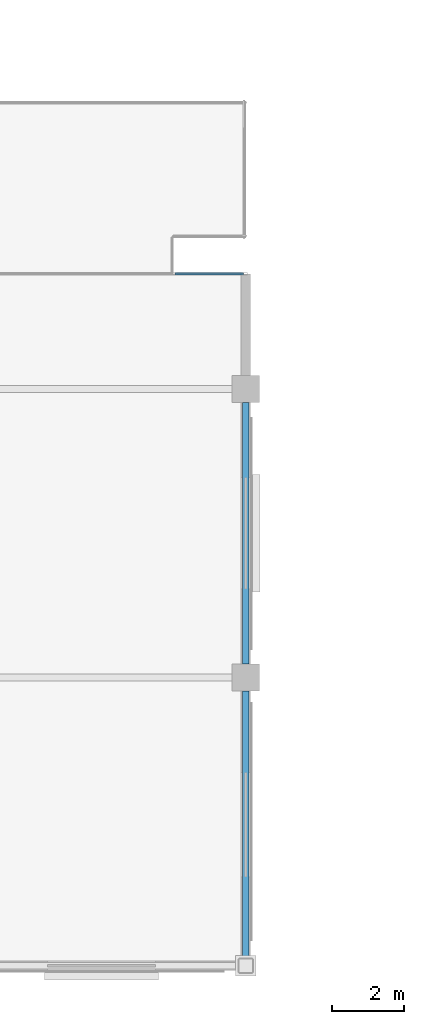
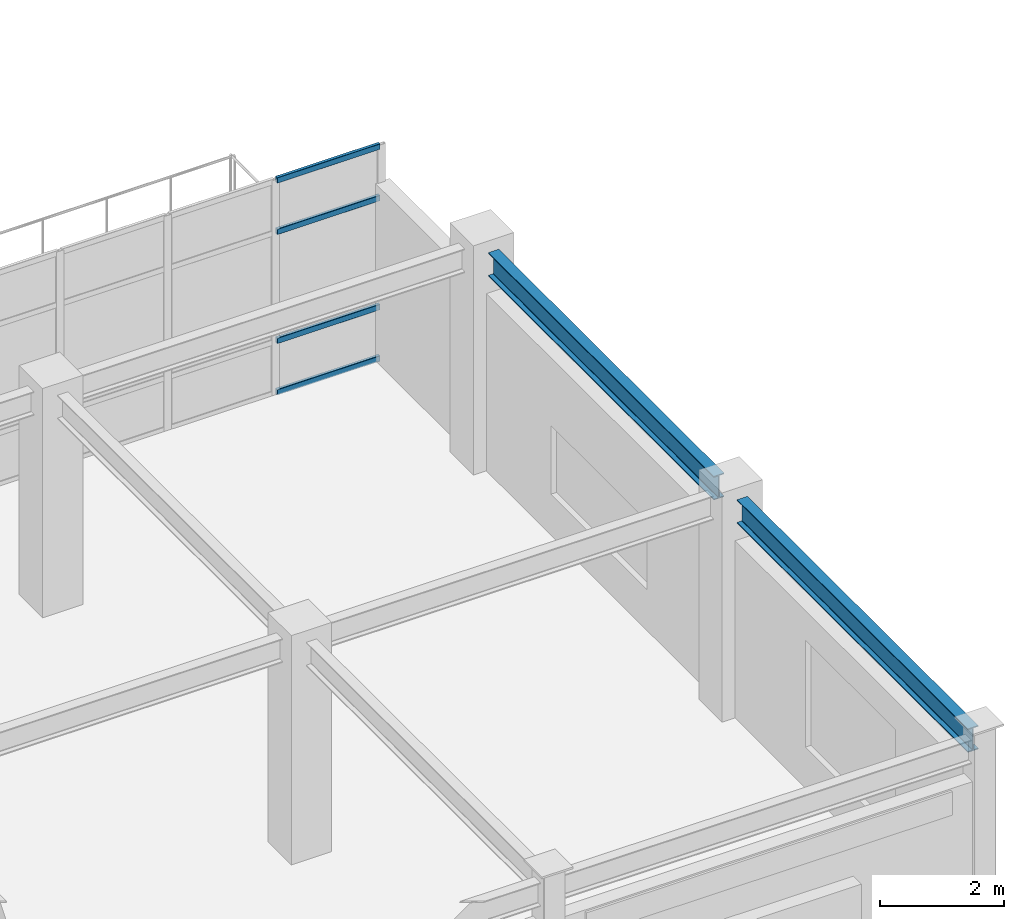
# One storey, part 19 of 42: 4 members, 2 beams, 1 element without a shape of its own.
"""IFC4 building model written with IfcOpenShell, lengths in metres."""

import ifcopenshell
import ifcopenshell.guid

model = None  # the IFC model being written
_history = None  # IfcOwnerHistory: only IFC2X3 demands one
_inside = {}  # id of a spatial element -> (the spatial element, [elements in it])
_under = {}  # id of a project, library or spatial element -> (it, [spatial elements below it])
_declared = {}  # id of a project -> (the project, [libraries it declares])
_typed = {}  # id of a type object -> (the type object, [elements of that type])
_made_of = {}  # id of a material, layer set ... -> (it, [elements and type objects made of it])


def new_model(schema):
    """Start an empty IFC model of exactly this schema.

    Asked for "IFC4X3", IfcOpenShell would pick the latest addendum, in which some entities
    have other attributes; the version numbers below select the first issue.
    IFC2X3 requires an IfcOwnerHistory on every rooted entity: one is made here for all.
    """
    global model, _history
    if schema == "IFC4X3":
        model = ifcopenshell.file(schema_version=(4, 3, 0, 0))
    else:
        model = ifcopenshell.file(schema=schema)
    _inside.clear()
    _under.clear()
    _declared.clear()
    _typed.clear()
    _made_of.clear()
    _history = None
    if model.schema == "IFC2X3":
        org = make("IfcOrganization", Name="unknown")
        user = make(
            "IfcPersonAndOrganization",
            ThePerson=make("IfcPerson", FamilyName="unknown"),
            TheOrganization=org,
        )
        app = make(
            "IfcApplication",
            ApplicationDeveloper=org,
            Version="unknown",
            ApplicationFullName="unknown",
            ApplicationIdentifier="unknown",
        )
        _history = make(
            "IfcOwnerHistory",
            OwningUser=user,
            OwningApplication=app,
            ChangeAction="ADDED",
            CreationDate=0,
        )
    return model


def make(cls, **values):
    """One entity of the class cls with the attributes given. An attribute that is None is left unset."""
    return model.create_entity(
        cls, **{name: value for name, value in values.items() if value is not None}
    )


def rooted(cls, **values):
    """An entity with a GlobalId (a new one), such as an element, a storey or a relation."""
    return make(cls, GlobalId=ifcopenshell.guid.new(), OwnerHistory=_history, **values)


def si_unit(unit_type, name, prefix=None):
    """IfcSIUnit, for example si_unit("LENGTHUNIT", "METRE", prefix="MILLI")."""
    return make("IfcSIUnit", UnitType=unit_type, Prefix=prefix, Name=name)


def assignment(units):
    """IfcUnitAssignment: the units of a project."""
    return None if units is None else make("IfcUnitAssignment", Units=units)


def point(xyz):
    """IfcCartesianPoint."""
    return None if xyz is None else make("IfcCartesianPoint", Coordinates=xyz)


def direction(xyz):
    """IfcDirection."""
    return None if xyz is None else make("IfcDirection", DirectionRatios=xyz)


def frame(location, z_axis=None, x_axis=None):
    """IfcAxis2Placement3D, a coordinate frame: its origin and axes. An axis left out is left unset."""
    return make(
        "IfcAxis2Placement3D",
        Location=point(location),
        Axis=direction(z_axis),
        RefDirection=direction(x_axis),
    )


def frame_2d(location, x_axis=None):
    """IfcAxis2Placement2D, a coordinate frame in the plane: its origin and x axis."""
    return make(
        "IfcAxis2Placement2D", Location=point(location), RefDirection=direction(x_axis)
    )


def origin():
    """The frame at (0, 0, 0) with its axes left unset."""
    return frame((0.0, 0.0, 0.0))


def origin_2d():
    """The frame at (0, 0) in the plane with its x axis left unset."""
    return frame_2d((0.0, 0.0))


def place(relative_to, where):
    """IfcLocalPlacement: puts the frame where relative to a parent placement (None: the world)."""
    return make(
        "IfcLocalPlacement", PlacementRelTo=relative_to, RelativePlacement=where
    )


def context(
    kind, dimensions, precision=None, world=None, true_north=None, identifier=None
):
    """IfcGeometricRepresentationContext, for example the 3D "Model" context."""
    return make(
        "IfcGeometricRepresentationContext",
        ContextIdentifier=identifier,
        ContextType=kind,
        CoordinateSpaceDimension=dimensions,
        Precision=precision,
        WorldCoordinateSystem=world,
        TrueNorth=true_north,
    )


def subcontext(parent, identifier, kind, view, scale=None):
    """IfcGeometricRepresentationSubContext, for example "Body" below "Model"."""
    return make(
        "IfcGeometricRepresentationSubContext",
        ContextIdentifier=identifier,
        ContextType=kind,
        ParentContext=parent,
        TargetScale=scale,
        TargetView=view,
    )


def project(units=None, contexts=None):
    """IfcProject with its units and contexts."""
    return rooted(
        "IfcProject",
        Name="project",
        RepresentationContexts=contexts,
        UnitsInContext=assignment(units),
    )


def spatial(cls, under=None, at=None, **own):
    """A site, building, storey or space (cls), placed at a placement, below another one or the project."""
    s = rooted(cls, ObjectPlacement=at, **own)
    if under is not None:
        _under.setdefault(under.id(), (under, []))[1].append(s)
    return s


def profile(cls, at=None, kind="AREA", **sizes):
    """A parametric profile (cls). Its sizes go by their IFC names, for example OverallWidth=200.0."""
    return make(cls, ProfileType=kind, Position=at, **sizes)


def hollow_rectangle(**sizes):
    """IfcRectangleHollowProfileDef."""
    return profile("IfcRectangleHollowProfileDef", **sizes)


def i_section(**sizes):
    """IfcIShapeProfileDef."""
    return profile("IfcIShapeProfileDef", **sizes)


def extrude(swept, where, along, depth):
    """IfcExtrudedAreaSolid: the profile swept, set in the frame where, extruded along a direction by depth."""
    return make(
        "IfcExtrudedAreaSolid",
        SweptArea=swept,
        Position=where,
        ExtrudedDirection=direction(along),
        Depth=depth,
    )


def shape(context_of_items, identifier, shape_type, items):
    """IfcShapeRepresentation: the items that make up one representation, for example the "Body"."""
    return make(
        "IfcShapeRepresentation",
        ContextOfItems=context_of_items,
        RepresentationIdentifier=identifier,
        RepresentationType=shape_type,
        Items=items,
    )


def material(Name=None, Category=None):
    """IfcMaterial."""
    return make("IfcMaterial", Name=Name, Category=Category)


def material_profile(
    of_material, cross_section, Name=None, Category=None, Priority=None
):
    """IfcMaterialProfile: a cross section and its material."""
    return make(
        "IfcMaterialProfile",
        Name=Name,
        Material=of_material,
        Profile=cross_section,
        Priority=Priority,
        Category=Category,
    )


def profile_set(profiles, Name=None, composite=None):
    """IfcMaterialProfileSet."""
    return make(
        "IfcMaterialProfileSet",
        Name=Name,
        MaterialProfiles=profiles,
        CompositeProfile=composite,
    )


def made_of(thing, what):
    """Note that an element or type object is made of a material, layer set ...; save() writes the relation."""
    if what is not None:
        _made_of.setdefault(what.id(), (what, []))[1].append(thing)
    return thing


def type_object(cls, material=None, **own):
    """A type object (cls), such as IfcWallType, which elements share."""
    return made_of(rooted(cls, **own), material)


def element(
    cls,
    number,
    at=None,
    inside=None,
    cuts=None,
    type_object=None,
    material=None,
    context=None,
    identifier="Body",
    shape_type=None,
    held_by="IfcProductDefinitionShape",
    body=None,
    shapes=None,
    **own,
):
    """One element of the class cls, such as IfcWall. Its Tag is "e" and its number.

    at: its placement. inside: the storey or other place that contains it. cuts: it is an
    opening in that element (IfcRelVoidsElement). A single representation is given by context,
    identifier, shape_type and body (its items); several are given by shapes. held_by: the class
    of the entity that holds the representations. save() writes the other relations.
    """
    e = rooted(cls, Tag="e%d" % number, ObjectPlacement=at, **own)
    if body is not None:
        shapes = [shape(context, identifier, shape_type, body)]
    if shapes is not None:
        e.Representation = make(held_by, Representations=shapes)
    if inside is not None:
        _inside.setdefault(inside.id(), (inside, []))[1].append(e)
    if cuts is not None:
        rooted(
            "IfcRelVoidsElement", RelatingBuildingElement=cuts, RelatedOpeningElement=e
        )
    if type_object is not None:
        _typed.setdefault(type_object.id(), (type_object, []))[1].append(e)
    return made_of(e, material)


def aggregate(whole, parts):
    """IfcRelAggregates: a whole, such as a stair, and the parts it consists of."""
    return rooted("IfcRelAggregates", RelatingObject=whole, RelatedObjects=parts)


def save(model, path):
    """Write the relations noted so far, then the file.

    IfcRelAggregates (storeys below a building ...), IfcRelContainedInSpatialStructure (elements
    in a storey), IfcRelDefinesByType, IfcRelAssociatesMaterial and IfcRelDeclares: one each for
    every whole, place, type object, material and project.
    """
    for whole, parts in _under.values():
        aggregate(whole, parts)
    for where, things in _inside.values():
        rooted(
            "IfcRelContainedInSpatialStructure",
            RelatedElements=things,
            RelatingStructure=where,
        )
    for kind, things in _typed.values():
        rooted("IfcRelDefinesByType", RelatedObjects=things, RelatingType=kind)
    for what, things in _made_of.values():
        rooted("IfcRelAssociatesMaterial", RelatedObjects=things, RelatingMaterial=what)
    for by, libraries in _declared.values():
        rooted("IfcRelDeclares", RelatingContext=by, RelatedDefinitions=libraries)
    model.write(path)


model = new_model("IFC4")

# Units and contexts
model_context = context("Model", 3, precision=1e-05, world=origin(), true_north=direction((0.0, 1.0)))
body_context = subcontext(model_context, "Body", "Model", "MODEL_VIEW")
ifc_project = project(units=[si_unit("LENGTHUNIT", "METRE"), si_unit("AREAUNIT", "SQUARE_METRE"), si_unit("VOLUMEUNIT", "CUBIC_METRE"), si_unit("PLANEANGLEUNIT", "RADIAN"), si_unit("MASSUNIT", "GRAM", prefix="KILO")], contexts=[model_context])

# Site, building, storey
site_placement = place(None, origin())
site = spatial("IfcSite", under=ifc_project, at=site_placement, CompositionType="ELEMENT")
building_placement = place(site_placement, origin())
building = spatial("IfcBuilding", under=site, at=building_placement, Name="Solmirada Galleria", CompositionType="ELEMENT")
storey_placement = place(building_placement, frame((0.0, 0.0, 28.39990234375)))
storey = spatial("IfcBuildingStorey", under=building, at=storey_placement, Name="L06", CompositionType="ELEMENT", Elevation=28.39990234375)

# Beams
ifc_material_1 = material(Name="Steel S355 / ASTM A992 Grade 50", Category="steel")
ifc_material_profile_1 = material_profile(ifc_material_1, i_section(OverallWidth=0.193115234375, OverallDepth=0.466064453125, WebThickness=0.011474609375, FlangeThickness=0.01904296875, FilletRadius=0.013916015625, at=origin_2d()), Name="W18X65")
ifc_profile_set_1 = profile_set([ifc_material_profile_1], Name="Steel S355 / ASTM A992 Grade 50")
beam_type = type_object("IfcBeamType", Name="BM-GIRD-W18C", PredefinedType="BEAM", material=ifc_profile_set_1)
beam_1_placement = place(storey_placement, frame((136.0, 0.202880859375, 4.0400390625), z_axis=(0.0, 1.0, 0.0), x_axis=(-1.0, 0.0, 0.0)))
element("IfcBeam", 1, at=beam_1_placement, inside=storey, type_object=beam_type, Name="South roof girder Y=0..8", PredefinedType="BEAM", context=body_context, shape_type="SweptSolid", body=[
    extrude(i_section(OverallWidth=0.193115234375, OverallDepth=0.466064453125, WebThickness=0.011474609375, FlangeThickness=0.01904296875, FilletRadius=0.013916015625, at=origin_2d()), origin(), (0.0, 0.0, 1.0), 7.422119140625),
])
beam_2_placement = place(storey_placement, frame((136.0, 8.375, 4.0400390625), z_axis=(0.0, 1.0, 0.0), x_axis=(-1.0, 0.0, 0.0)))
element("IfcBeam", 2, at=beam_2_placement, inside=storey, type_object=beam_type, Name="South roof girder Y=8..16", PredefinedType="BEAM", context=body_context, shape_type="SweptSolid", body=[
    extrude(i_section(OverallWidth=0.193115234375, OverallDepth=0.466064453125, WebThickness=0.011474609375, FlangeThickness=0.01904296875, FilletRadius=0.013916015625, at=origin_2d()), origin(), (0.0, 0.0, 1.0), 7.25),
])

# Curtain wall, members
ifc_material_2 = material(Name="Impact-resistant low-E double glazing", Category="glass")
curtain_wall_type = type_object("IfcCurtainWallType", Name="CW-FZ5-L06-B4-L080", PredefinedType="NOTDEFINED", material=ifc_material_2)
curtain_wall_placement = place(storey_placement, origin())
curtain_wall = element("IfcCurtainWall", 3, at=curtain_wall_placement, inside=storey, type_object=curtain_wall_type, Name="Terrace and arcade storefront CW-L06-201", PredefinedType="NOTDEFINED")
ifc_material_3 = material(Name="Anodised aluminium framing", Category="aluminium")
ifc_material_profile_2 = material_profile(ifc_material_3, hollow_rectangle(XDim=0.06005859375, YDim=0.110107421875, WallThickness=0.003173828125, InnerFilletRadius=0.003173828125, OuterFilletRadius=0.00634765625, at=origin_2d()), Name="ALU-TRAN-110X60")
ifc_profile_set_2 = profile_set([ifc_material_profile_2], Name="Anodised aluminium framing")
member_type = type_object("IfcMemberType", Name="CW-TRAN-110", PredefinedType="USERDEFINED", material=ifc_profile_set_2)
member_1_placement = place(storey_placement, frame((134.030029296875, 19.199951171875, 0.030029296875), z_axis=(1.0, 0.0, 0.0), x_axis=(0.0, 1.0, 0.0)))
member_1 = element("IfcMember", 4, at=member_1_placement, type_object=member_type, Name="CW39 transom 4.1", ObjectType="TRANSOM", PredefinedType="USERDEFINED", context=body_context, shape_type="SweptSolid", body=[
    extrude(hollow_rectangle(XDim=0.06005859375, YDim=0.110107421875, WallThickness=0.003173828125, InnerFilletRadius=0.003173828125, OuterFilletRadius=0.00634765625, at=origin_2d()), origin(), (0.0, 0.0, 1.0), 1.909912109375),
])
member_2_placement = place(storey_placement, frame((134.030029296875, 19.199951171875, 1.0400390625), z_axis=(1.0, 0.0, 0.0), x_axis=(0.0, 1.0, 0.0)))
member_2 = element("IfcMember", 5, at=member_2_placement, type_object=member_type, Name="CW39 transom 4.2", ObjectType="TRANSOM", PredefinedType="USERDEFINED", context=body_context, shape_type="SweptSolid", body=[
    extrude(hollow_rectangle(XDim=0.06005859375, YDim=0.110107421875, WallThickness=0.003173828125, InnerFilletRadius=0.003173828125, OuterFilletRadius=0.00634765625, at=origin_2d()), origin(), (0.0, 0.0, 1.0), 1.909912109375),
])
member_3_placement = place(storey_placement, frame((134.030029296875, 19.199951171875, 3.18017578125), z_axis=(1.0, 0.0, 0.0), x_axis=(0.0, 1.0, 0.0)))
member_3 = element("IfcMember", 6, at=member_3_placement, type_object=member_type, Name="CW39 transom 4.3", ObjectType="TRANSOM", PredefinedType="USERDEFINED", context=body_context, shape_type="SweptSolid", body=[
    extrude(hollow_rectangle(XDim=0.06005859375, YDim=0.110107421875, WallThickness=0.003173828125, InnerFilletRadius=0.003173828125, OuterFilletRadius=0.00634765625, at=origin_2d()), origin(), (0.0, 0.0, 1.0), 1.909912109375),
])
member_4_placement = place(storey_placement, frame((134.030029296875, 19.199951171875, 4.190185546875), z_axis=(1.0, 0.0, 0.0), x_axis=(0.0, 1.0, 0.0)))
member_4 = element("IfcMember", 7, at=member_4_placement, type_object=member_type, Name="CW39 transom 4.4", ObjectType="TRANSOM", PredefinedType="USERDEFINED", context=body_context, shape_type="SweptSolid", body=[
    extrude(hollow_rectangle(XDim=0.06005859375, YDim=0.110107421875, WallThickness=0.003173828125, InnerFilletRadius=0.003173828125, OuterFilletRadius=0.00634765625, at=origin_2d()), origin(), (0.0, 0.0, 1.0), 1.909912109375),
])
aggregate(curtain_wall, [member_1, member_2, member_3, member_4])

save(model, "model.ifc")
